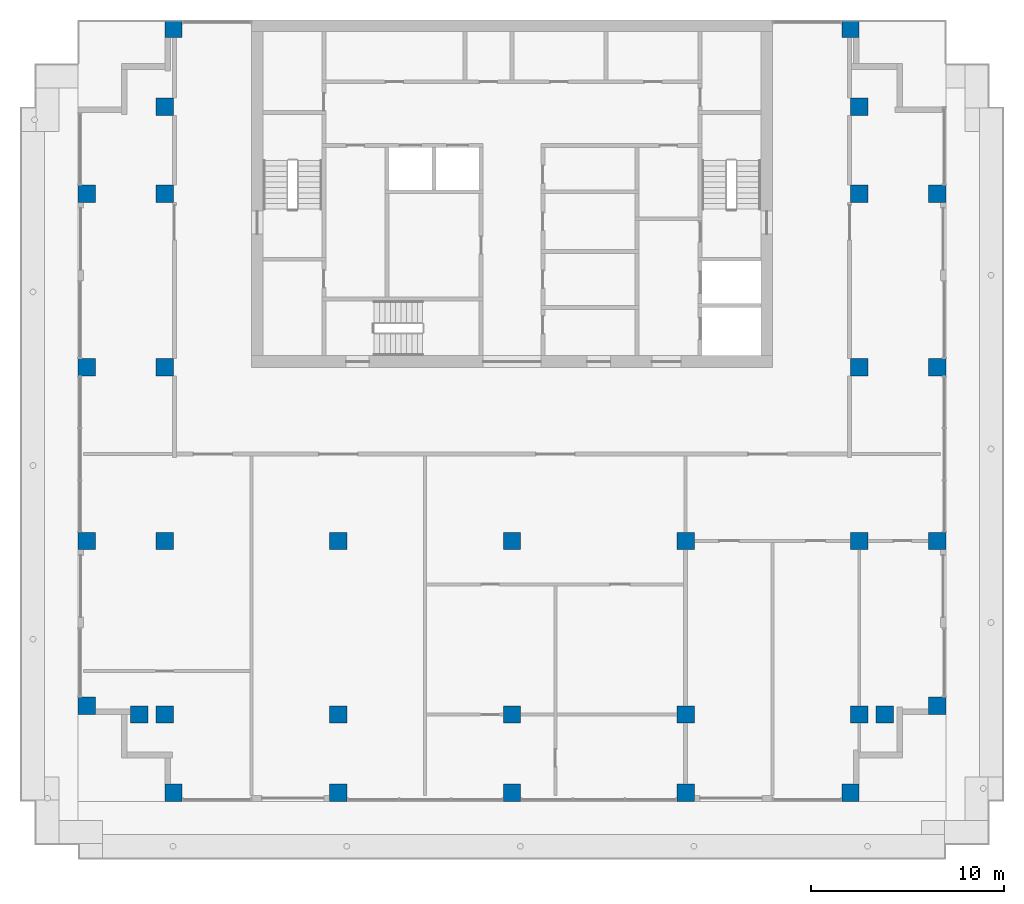
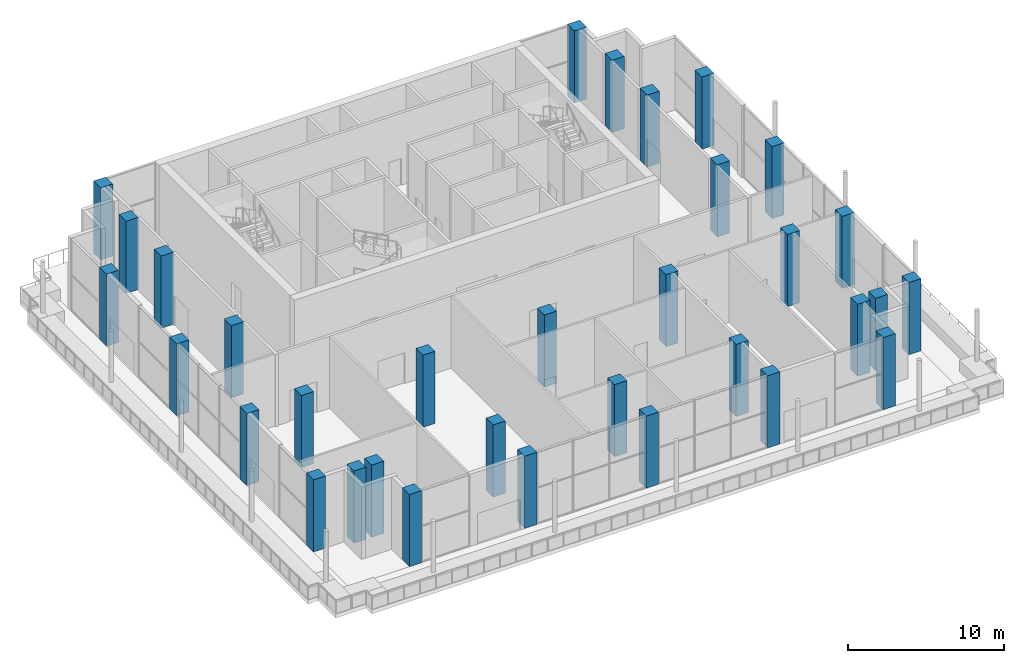
# One storey, part 1 of 13: 33 columns.
"""IFC4 building model written with IfcOpenShell, lengths in metres."""

import ifcopenshell
import ifcopenshell.guid

model = None  # the IFC model being written
_history = None  # IfcOwnerHistory: only IFC2X3 demands one
_inside = {}  # id of a spatial element -> (the spatial element, [elements in it])
_under = {}  # id of a project, library or spatial element -> (it, [spatial elements below it])
_declared = {}  # id of a project -> (the project, [libraries it declares])
_typed = {}  # id of a type object -> (the type object, [elements of that type])
_made_of = {}  # id of a material, layer set ... -> (it, [elements and type objects made of it])


def new_model(schema):
    """Start an empty IFC model of exactly this schema.

    Asked for "IFC4X3", IfcOpenShell would pick the latest addendum, in which some entities
    have other attributes; the version numbers below select the first issue.
    IFC2X3 requires an IfcOwnerHistory on every rooted entity: one is made here for all.
    """
    global model, _history
    if schema == "IFC4X3":
        model = ifcopenshell.file(schema_version=(4, 3, 0, 0))
    else:
        model = ifcopenshell.file(schema=schema)
    _inside.clear()
    _under.clear()
    _declared.clear()
    _typed.clear()
    _made_of.clear()
    _history = None
    if model.schema == "IFC2X3":
        org = make("IfcOrganization", Name="unknown")
        user = make(
            "IfcPersonAndOrganization",
            ThePerson=make("IfcPerson", FamilyName="unknown"),
            TheOrganization=org,
        )
        app = make(
            "IfcApplication",
            ApplicationDeveloper=org,
            Version="unknown",
            ApplicationFullName="unknown",
            ApplicationIdentifier="unknown",
        )
        _history = make(
            "IfcOwnerHistory",
            OwningUser=user,
            OwningApplication=app,
            ChangeAction="ADDED",
            CreationDate=0,
        )
    return model


def make(cls, **values):
    """One entity of the class cls with the attributes given. An attribute that is None is left unset."""
    return model.create_entity(
        cls, **{name: value for name, value in values.items() if value is not None}
    )


def rooted(cls, **values):
    """An entity with a GlobalId (a new one), such as an element, a storey or a relation."""
    return make(cls, GlobalId=ifcopenshell.guid.new(), OwnerHistory=_history, **values)


def si_unit(unit_type, name, prefix=None):
    """IfcSIUnit, for example si_unit("LENGTHUNIT", "METRE", prefix="MILLI")."""
    return make("IfcSIUnit", UnitType=unit_type, Prefix=prefix, Name=name)


def assignment(units):
    """IfcUnitAssignment: the units of a project."""
    return None if units is None else make("IfcUnitAssignment", Units=units)


def point(xyz):
    """IfcCartesianPoint."""
    return None if xyz is None else make("IfcCartesianPoint", Coordinates=xyz)


def direction(xyz):
    """IfcDirection."""
    return None if xyz is None else make("IfcDirection", DirectionRatios=xyz)


def frame(location, z_axis=None, x_axis=None):
    """IfcAxis2Placement3D, a coordinate frame: its origin and axes. An axis left out is left unset."""
    return make(
        "IfcAxis2Placement3D",
        Location=point(location),
        Axis=direction(z_axis),
        RefDirection=direction(x_axis),
    )


def frame_2d(location, x_axis=None):
    """IfcAxis2Placement2D, a coordinate frame in the plane: its origin and x axis."""
    return make(
        "IfcAxis2Placement2D", Location=point(location), RefDirection=direction(x_axis)
    )


def origin():
    """The frame at (0, 0, 0) with its axes left unset."""
    return frame((0.0, 0.0, 0.0))


def origin_2d():
    """The frame at (0, 0) in the plane with its x axis left unset."""
    return frame_2d((0.0, 0.0))


def place(relative_to, where):
    """IfcLocalPlacement: puts the frame where relative to a parent placement (None: the world)."""
    return make(
        "IfcLocalPlacement", PlacementRelTo=relative_to, RelativePlacement=where
    )


def context(
    kind, dimensions, precision=None, world=None, true_north=None, identifier=None
):
    """IfcGeometricRepresentationContext, for example the 3D "Model" context."""
    return make(
        "IfcGeometricRepresentationContext",
        ContextIdentifier=identifier,
        ContextType=kind,
        CoordinateSpaceDimension=dimensions,
        Precision=precision,
        WorldCoordinateSystem=world,
        TrueNorth=true_north,
    )


def subcontext(parent, identifier, kind, view, scale=None):
    """IfcGeometricRepresentationSubContext, for example "Body" below "Model"."""
    return make(
        "IfcGeometricRepresentationSubContext",
        ContextIdentifier=identifier,
        ContextType=kind,
        ParentContext=parent,
        TargetScale=scale,
        TargetView=view,
    )


def project(units=None, contexts=None):
    """IfcProject with its units and contexts."""
    return rooted(
        "IfcProject",
        Name="project",
        RepresentationContexts=contexts,
        UnitsInContext=assignment(units),
    )


def spatial(cls, under=None, at=None, **own):
    """A site, building, storey or space (cls), placed at a placement, below another one or the project."""
    s = rooted(cls, ObjectPlacement=at, **own)
    if under is not None:
        _under.setdefault(under.id(), (under, []))[1].append(s)
    return s


def profile(cls, at=None, kind="AREA", **sizes):
    """A parametric profile (cls). Its sizes go by their IFC names, for example OverallWidth=200.0."""
    return make(cls, ProfileType=kind, Position=at, **sizes)


def rectangle(**sizes):
    """IfcRectangleProfileDef."""
    return profile("IfcRectangleProfileDef", **sizes)


def extrude(swept, where, along, depth):
    """IfcExtrudedAreaSolid: the profile swept, set in the frame where, extruded along a direction by depth."""
    return make(
        "IfcExtrudedAreaSolid",
        SweptArea=swept,
        Position=where,
        ExtrudedDirection=direction(along),
        Depth=depth,
    )


def shape(context_of_items, identifier, shape_type, items):
    """IfcShapeRepresentation: the items that make up one representation, for example the "Body"."""
    return make(
        "IfcShapeRepresentation",
        ContextOfItems=context_of_items,
        RepresentationIdentifier=identifier,
        RepresentationType=shape_type,
        Items=items,
    )


def material(Name=None, Category=None):
    """IfcMaterial."""
    return make("IfcMaterial", Name=Name, Category=Category)


def material_profile(
    of_material, cross_section, Name=None, Category=None, Priority=None
):
    """IfcMaterialProfile: a cross section and its material."""
    return make(
        "IfcMaterialProfile",
        Name=Name,
        Material=of_material,
        Profile=cross_section,
        Priority=Priority,
        Category=Category,
    )


def profile_set(profiles, Name=None, composite=None):
    """IfcMaterialProfileSet."""
    return make(
        "IfcMaterialProfileSet",
        Name=Name,
        MaterialProfiles=profiles,
        CompositeProfile=composite,
    )


def made_of(thing, what):
    """Note that an element or type object is made of a material, layer set ...; save() writes the relation."""
    if what is not None:
        _made_of.setdefault(what.id(), (what, []))[1].append(thing)
    return thing


def type_object(cls, material=None, **own):
    """A type object (cls), such as IfcWallType, which elements share."""
    return made_of(rooted(cls, **own), material)


def element(
    cls,
    number,
    at=None,
    inside=None,
    cuts=None,
    type_object=None,
    material=None,
    context=None,
    identifier="Body",
    shape_type=None,
    held_by="IfcProductDefinitionShape",
    body=None,
    shapes=None,
    **own,
):
    """One element of the class cls, such as IfcWall. Its Tag is "e" and its number.

    at: its placement. inside: the storey or other place that contains it. cuts: it is an
    opening in that element (IfcRelVoidsElement). A single representation is given by context,
    identifier, shape_type and body (its items); several are given by shapes. held_by: the class
    of the entity that holds the representations. save() writes the other relations.
    """
    e = rooted(cls, Tag="e%d" % number, ObjectPlacement=at, **own)
    if body is not None:
        shapes = [shape(context, identifier, shape_type, body)]
    if shapes is not None:
        e.Representation = make(held_by, Representations=shapes)
    if inside is not None:
        _inside.setdefault(inside.id(), (inside, []))[1].append(e)
    if cuts is not None:
        rooted(
            "IfcRelVoidsElement", RelatingBuildingElement=cuts, RelatedOpeningElement=e
        )
    if type_object is not None:
        _typed.setdefault(type_object.id(), (type_object, []))[1].append(e)
    return made_of(e, material)


def aggregate(whole, parts):
    """IfcRelAggregates: a whole, such as a stair, and the parts it consists of."""
    return rooted("IfcRelAggregates", RelatingObject=whole, RelatedObjects=parts)


def save(model, path):
    """Write the relations noted so far, then the file.

    IfcRelAggregates (storeys below a building ...), IfcRelContainedInSpatialStructure (elements
    in a storey), IfcRelDefinesByType, IfcRelAssociatesMaterial and IfcRelDeclares: one each for
    every whole, place, type object, material and project.
    """
    for whole, parts in _under.values():
        aggregate(whole, parts)
    for where, things in _inside.values():
        rooted(
            "IfcRelContainedInSpatialStructure",
            RelatedElements=things,
            RelatingStructure=where,
        )
    for kind, things in _typed.values():
        rooted("IfcRelDefinesByType", RelatedObjects=things, RelatingType=kind)
    for what, things in _made_of.values():
        rooted("IfcRelAssociatesMaterial", RelatedObjects=things, RelatingMaterial=what)
    for by, libraries in _declared.values():
        rooted("IfcRelDeclares", RelatingContext=by, RelatedDefinitions=libraries)
    model.write(path)


model = new_model("IFC4")

# Units and contexts
model_context = context("Model", 3, precision=1e-05, world=origin(), true_north=direction((0.0, 1.0)))
body_context = subcontext(model_context, "Body", "Model", "MODEL_VIEW")
ifc_project = project(units=[si_unit("LENGTHUNIT", "METRE"), si_unit("AREAUNIT", "SQUARE_METRE"), si_unit("VOLUMEUNIT", "CUBIC_METRE"), si_unit("PLANEANGLEUNIT", "RADIAN"), si_unit("MASSUNIT", "GRAM", prefix="KILO")], contexts=[model_context])

# Site, building, storey
site_placement = place(None, origin())
site = spatial("IfcSite", under=ifc_project, at=site_placement, CompositionType="ELEMENT")
building_placement = place(site_placement, origin())
building = spatial("IfcBuilding", under=site, at=building_placement, Name="Orbiselva Terraces", CompositionType="ELEMENT")
storey_placement = place(building_placement, frame((0.0, 0.0, 297.4)))
storey = spatial("IfcBuildingStorey", under=building, at=storey_placement, Name="L74", CompositionType="ELEMENT", Elevation=297.4)

# Columns
ifc_material = material(Name="Concrete C50/60", Category="concrete")
ifc_material_profile_1 = material_profile(ifc_material, rectangle(XDim=0.9, YDim=0.9, at=origin_2d()), Name="RC 900x900")
ifc_profile_set_1 = profile_set([ifc_material_profile_1], Name="Concrete C50/60")
column_type_1 = type_object("IfcColumnType", Name="COLUMN RC 900x900", PredefinedType="COLUMN", material=ifc_profile_set_1)
for number, where, z_axis, x_axis, name in (
    (1, (-18.0, -13.5, 0.0), (0.0, 0.0, 1.0), (1.0, 0.0, 0.0), "Column L74-01"),
    (2, (-18.0, -4.5, 0.0), (0.0, 0.0, 1.0), (1.0, 0.0, 0.0), "Column L74-03"),
    (3, (-18.0, 13.5, 0.0), (0.0, 0.0, 1.0), (1.0, 0.0, 0.0), "Column L74-04"),
    (4, (-18.0, 4.5, 0.0), (0.0, 0.0, 1.0), (1.0, 0.0, 0.0), "Column L74-06"),
    (5, (-9.0, -13.5, 0.0), (0.0, 0.0, 1.0), (1.0, 0.0, 0.0), "Column L74-13"),
    (6, (-9.0, -4.5, 0.0), (0.0, 0.0, 1.0), (1.0, 0.0, 0.0), "Column L74-15"),
    (7, (0.0, -13.5, 0.0), (0.0, 0.0, 1.0), (1.0, 0.0, 0.0), "Column L74-16"),
    (8, (0.0, -4.5, 0.0), (0.0, 0.0, 1.0), (1.0, 0.0, 0.0), "Column L74-18"),
    (9, (18.0, -13.5, 0.0), (0.0, 0.0, 1.0), (1.0, 0.0, 0.0), "Column L74-19"),
    (10, (18.0, -4.5, 0.0), (0.0, 0.0, 1.0), (1.0, 0.0, 0.0), "Column L74-21"),
    (11, (18.0, 13.5, 0.0), (0.0, 0.0, 1.0), (1.0, 0.0, 0.0), "Column L74-22"),
    (12, (18.0, 4.5, 0.0), (0.0, 0.0, 1.0), (1.0, 0.0, 0.0), "Column L74-24"),
    (13, (9.0, -13.5, 0.0), (0.0, 0.0, 1.0), (1.0, 0.0, 0.0), "Column L74-31"),
    (14, (9.0, -4.5, 0.0), (0.0, 0.0, 1.0), (1.0, 0.0, 0.0), "Column L74-33"),
):
    element("IfcColumn", number, at=place(storey_placement, frame(where, z_axis=z_axis, x_axis=x_axis)), inside=storey, type_object=column_type_1, Name=name, PredefinedType="COLUMN", context=body_context, shape_type="SweptSolid", body=[
        extrude(rectangle(XDim=0.9, YDim=0.9, at=origin_2d()), origin(), (0.0, 0.0, 1.0), 5.65),
    ])
ifc_material_profile_2 = material_profile(ifc_material, rectangle(XDim=0.9, YDim=0.9, at=origin_2d()), Name="RC 900x900")
ifc_profile_set_2 = profile_set([ifc_material_profile_2], Name="Concrete C50/60")
column_type_2 = type_object("IfcColumnType", Name="PERIMETER COLUMN RC 900x900", PredefinedType="COLUMN", material=ifc_profile_set_2)
for number, where, z_axis, x_axis, name in (
    (15, (-17.55, -17.55, 0.0), (0.0, 0.0, 1.0), (1.0, 0.0, 0.0), "Column L74-02"),
    (16, (-17.55, 22.05, 0.0), (0.0, 0.0, 1.0), (1.0, 0.0, 0.0), "Column L74-05"),
    (17, (-22.05, -13.05, 0.0), (0.0, 0.0, 1.0), (1.0, 0.0, 0.0), "Column L74-07"),
    (18, (-19.32, -13.5, 0.0), (0.0, 0.0, 1.0), (1.0, 0.0, 0.0), "Column L74-08"),
    (19, (-22.05, -4.5, 0.0), (0.0, 0.0, 1.0), (1.0, 0.0, 0.0), "Column L74-09"),
    (20, (-22.05, 13.5, 0.0), (0.0, 0.0, 1.0), (1.0, 0.0, 0.0), "Column L74-10"),
    (21, (-18.0, 18.0, 0.0), (0.0, 0.0, 1.0), (1.0, 0.0, 0.0), "Column L74-11"),
    (22, (-22.05, 4.5, 0.0), (0.0, 0.0, 1.0), (1.0, 0.0, 0.0), "Column L74-12"),
    (23, (-9.0, -17.55, 0.0), (0.0, 0.0, 1.0), (1.0, 0.0, 0.0), "Column L74-14"),
    (24, (0.0, -17.55, 0.0), (0.0, 0.0, 1.0), (1.0, 0.0, 0.0), "Column L74-17"),
    (25, (17.55, -17.55, 0.0), (0.0, 0.0, 1.0), (1.0, 0.0, 0.0), "Column L74-20"),
    (26, (17.55, 22.05, 0.0), (0.0, 0.0, 1.0), (1.0, 0.0, 0.0), "Column L74-23"),
    (27, (22.05, -13.05, 0.0), (0.0, 0.0, 1.0), (1.0, 0.0, 0.0), "Column L74-25"),
    (28, (19.32, -13.5, 0.0), (0.0, 0.0, 1.0), (1.0, 0.0, 0.0), "Column L74-26"),
    (29, (22.05, -4.5, 0.0), (0.0, 0.0, 1.0), (1.0, 0.0, 0.0), "Column L74-27"),
    (30, (22.05, 13.5, 0.0), (0.0, 0.0, 1.0), (1.0, 0.0, 0.0), "Column L74-28"),
    (31, (18.0, 18.0, 0.0), (0.0, 0.0, 1.0), (1.0, 0.0, 0.0), "Column L74-29"),
    (32, (22.05, 4.5, 0.0), (0.0, 0.0, 1.0), (1.0, 0.0, 0.0), "Column L74-30"),
    (33, (9.0, -17.55, 0.0), (0.0, 0.0, 1.0), (1.0, 0.0, 0.0), "Column L74-32"),
):
    element("IfcColumn", number, at=place(storey_placement, frame(where, z_axis=z_axis, x_axis=x_axis)), inside=storey, type_object=column_type_2, Name=name, PredefinedType="COLUMN", context=body_context, shape_type="SweptSolid", body=[
        extrude(rectangle(XDim=0.9, YDim=0.9, at=origin_2d()), origin(), (0.0, 0.0, 1.0), 5.65),
    ])

save(model, "model.ifc")
